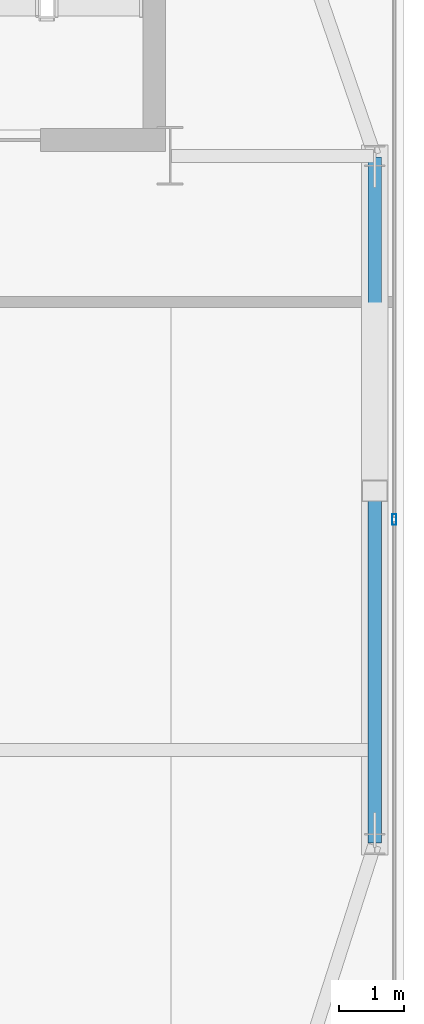
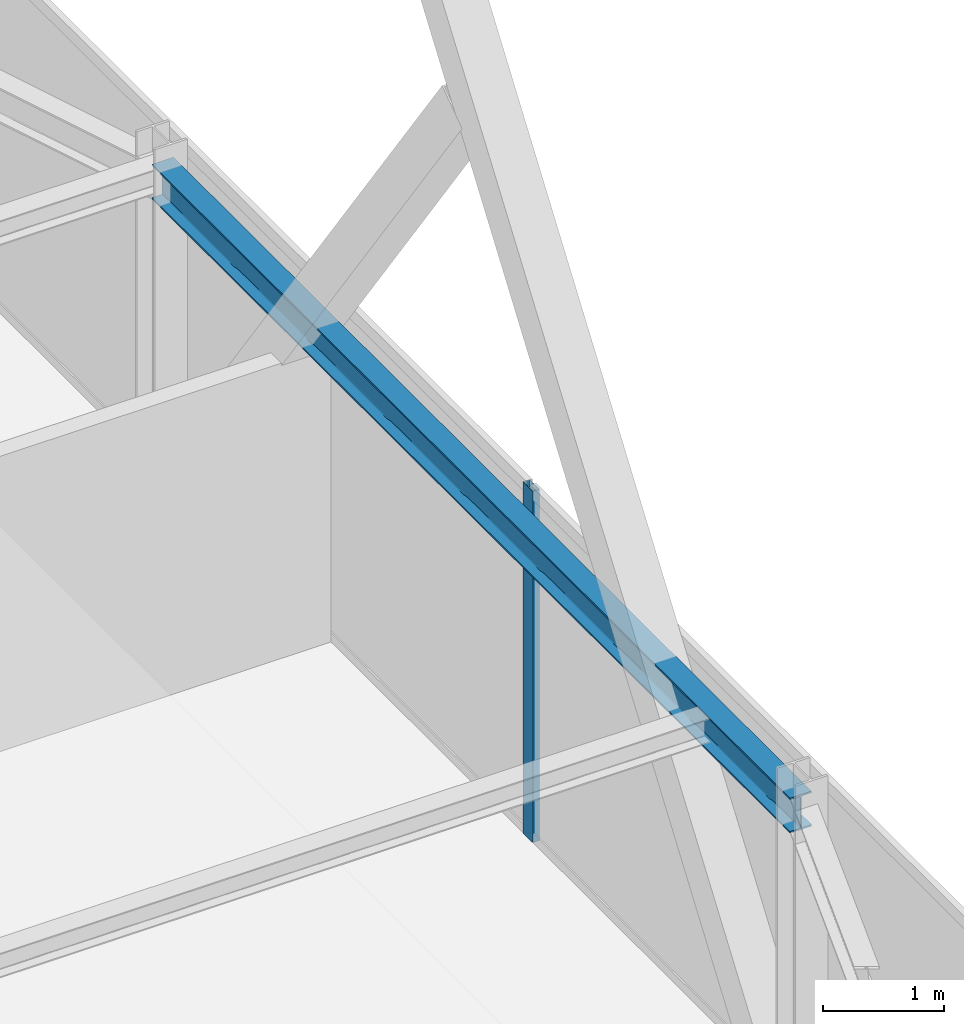
# One storey, part 13 of 25: 1 beam, 1 member, 1 element without a shape of its own.
"""IFC4 building model written with IfcOpenShell, lengths in metres."""

from ifc_helpers import new_model, si_unit, direction, frame, origin, origin_2d, place, context, subcontext, project, spatial, hollow_rectangle, i_section, extrude, source, transform, mapped, material, layer, layer_set, material_profile, profile_set, type_object, type_shapes, element, aggregate, save


model = new_model("IFC4")

# Units and contexts
model_context = context("Model", 3, precision=1e-05, world=origin(), true_north=direction((0.0, 1.0)))
body_context = subcontext(model_context, "Body", "Model", "MODEL_VIEW")
ifc_project = project(units=[si_unit("LENGTHUNIT", "METRE"), si_unit("AREAUNIT", "SQUARE_METRE"), si_unit("VOLUMEUNIT", "CUBIC_METRE"), si_unit("PLANEANGLEUNIT", "RADIAN"), si_unit("MASSUNIT", "GRAM", prefix="KILO")], contexts=[model_context])

# Site, building, storey
site_placement = place(None, origin())
site = spatial("IfcSite", under=ifc_project, at=site_placement, CompositionType="ELEMENT")
building_placement = place(site_placement, origin())
building = spatial("IfcBuilding", under=site, at=building_placement, Name="Varnel Quay Broadcast Tower", CompositionType="ELEMENT")
storey_placement = place(building_placement, frame((0.0, 0.0, 258.39990234375)))
storey = spatial("IfcBuildingStorey", under=building, at=storey_placement, Name="L64", CompositionType="ELEMENT", Elevation=258.39990234375)

# Beam
ifc_material_1 = material(Name="Structural Steel CSA G40.21 350W", Category="steel")
ifc_material_profile_1 = material_profile(ifc_material_1, i_section(OverallWidth=0.205078125, OverallDepth=0.35400390625, WebThickness=0.009521484375, FlangeThickness=0.016845703125, FilletRadius=0.012939453125, at=origin_2d()), Name="W360X79")
ifc_profile_set_1 = profile_set([ifc_material_profile_1], Name="Structural Steel CSA G40.21 350W")
beam_type = type_object("IfcBeamType", Name="Beam_W360X79", PredefinedType="SPANDREL", material=ifc_profile_set_1)
shared_shape_1 = source(origin(), body_context, "Body", "SweptSolid", [
    extrude(i_section(OverallWidth=0.205078125, OverallDepth=0.35400390625, WebThickness=0.009521484375, FlangeThickness=0.016845703125, FilletRadius=0.012939453125, at=origin_2d()), origin(), (0.0, 0.0, 1.0), 10.56005859375),
])
type_shapes(beam_type, [shared_shape_1])
beam_placement = place(storey_placement, frame((55.550048828125, 25.02001953125, 3.373046875), z_axis=(0.0, 1.0, 0.0), x_axis=(-1.0, 0.0, 0.0)))
element("IfcBeam", 1, at=beam_placement, inside=storey, type_object=beam_type, Name="L64 East Spandrel TC-E1-TC-E2", PredefinedType="SPANDREL", context=body_context, shape_type="MappedRepresentation", body=[
    mapped(shared_shape_1, transform((0.0, 0.0, 0.0), x_axis=(1.0, 0.0, 0.0), y_axis=(0.0, 1.0, 0.0), z_axis=(0.0, 0.0, 1.0), scale=1.0)),
])

# Curtain wall, member
ifc_material_2 = material(Name="Anodised Bronze Aluminium 6063-T6", Category="aluminium")
ifc_layer = layer(ifc_material_2, 0.18994140625, Name="Anodised Bronze Aluminium 6063-T6")
ifc_layer_set = layer_set([ifc_layer], Name="Anodised Bronze Aluminium 6063-T6")
curtain_wall_type = type_object("IfcCurtainWallType", Name="CW_UpperTower", PredefinedType="NOTDEFINED", material=ifc_layer_set)
curtain_wall_placement = place(storey_placement, origin())
curtain_wall = element("IfcCurtainWall", 2, at=curtain_wall_placement, inside=storey, type_object=curtain_wall_type, Name="L64 East Unitised Curtain Wall", PredefinedType="NOTDEFINED")
ifc_material_profile_2 = material_profile(ifc_material_2, hollow_rectangle(XDim=0.06494140625, YDim=0.1650390625, WallThickness=0.00341796875, at=origin_2d()), Name="ALU65X165X3.5")
ifc_profile_set_2 = profile_set([ifc_material_profile_2], Name="Anodised Bronze Aluminium 6063-T6")
member_type = type_object("IfcMemberType", Name="Mull_CWS-03", PredefinedType="MULLION", material=ifc_profile_set_2)
shared_shape_2 = source(origin(), body_context, "Body", "SweptSolid", [
    extrude(hollow_rectangle(XDim=0.06494140625, YDim=0.1650390625, WallThickness=0.00341796875, at=origin_2d()), origin(), (0.0, 0.0, 1.0), 3.550048828125),
])
type_shapes(member_type, [shared_shape_2])
member_placement = place(storey_placement, frame((55.85009765625, 30.0, 0.0), z_axis=(0.0, 0.0, 1.0), x_axis=(-1.0, 0.0, 0.0)))
member = element("IfcMember", 3, at=member_placement, type_object=member_type, Name="CWS-03 mullion 2", PredefinedType="MULLION", context=body_context, shape_type="MappedRepresentation", body=[
    mapped(shared_shape_2, transform((0.0, 0.0, 0.0), x_axis=(1.0, 0.0, 0.0), y_axis=(0.0, 1.0, 0.0), z_axis=(0.0, 0.0, 1.0), scale=1.0)),
])
aggregate(curtain_wall, [member])

save(model, "model.ifc")
